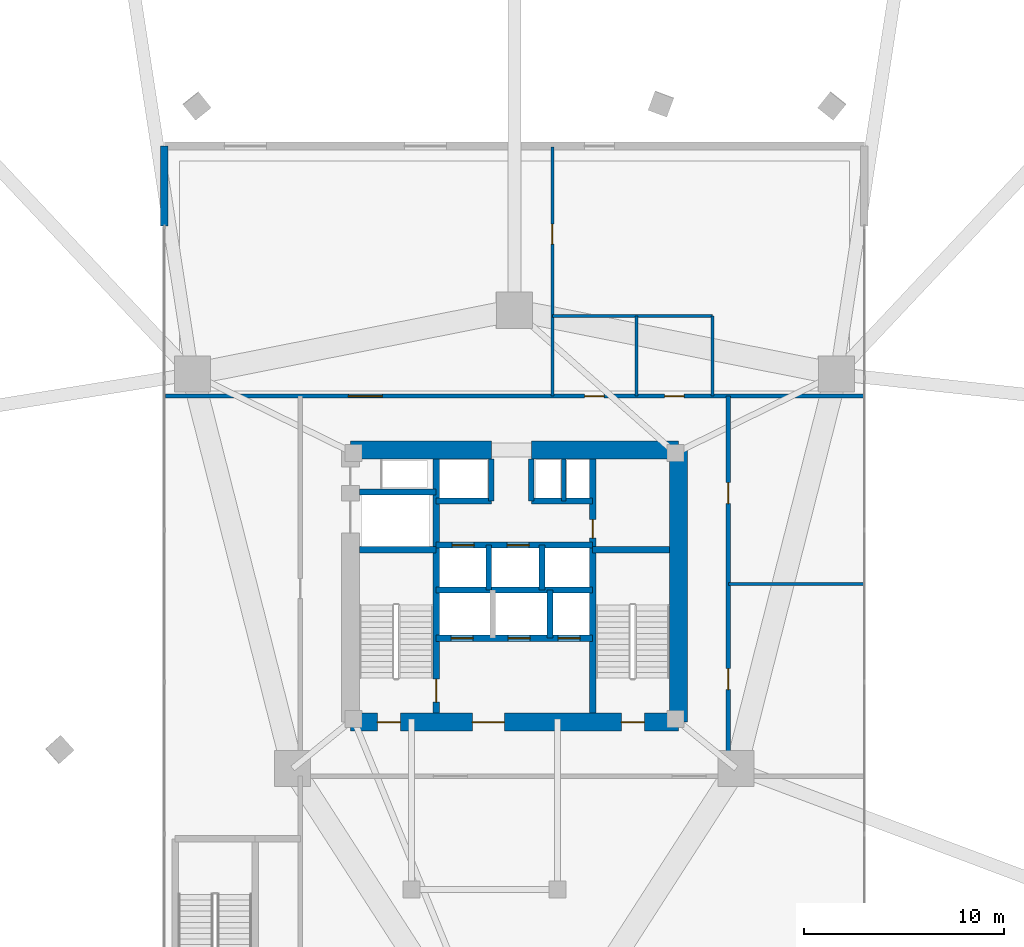
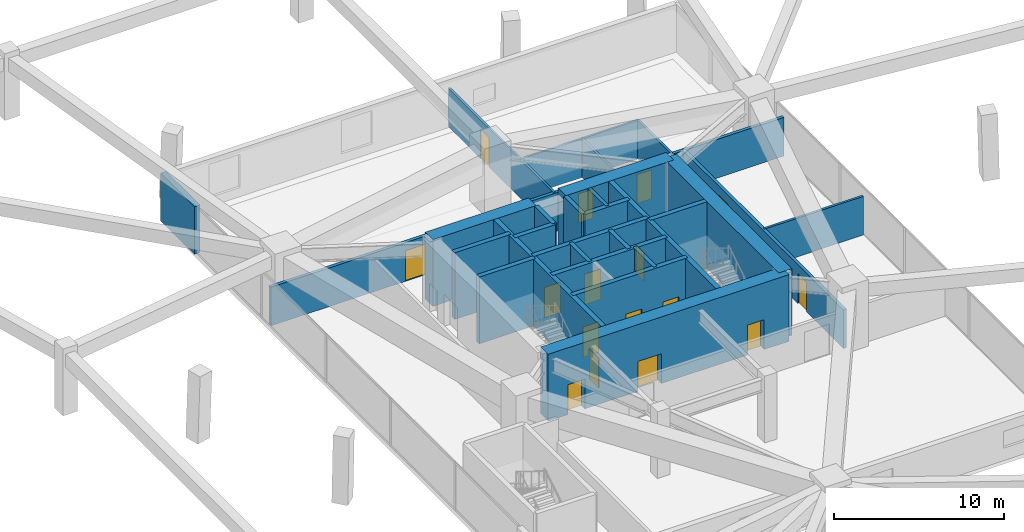
# One storey, part 12 of 15: 28 walls, 16 doors, 16 openings.
"""IFC4 building model written with IfcOpenShell, lengths in metres."""

from ifc_helpers import new_model, si_unit, direction, frame, frame_2d, origin, place, context, subcontext, project, spatial, rectangle, extrude, material, layer, layer_set, type_object, element, fill, save


model = new_model("IFC4")

# Units and contexts
model_context = context("Model", 3, precision=1e-05, world=origin(), true_north=direction((0.0, 1.0)))
body_context = subcontext(model_context, "Body", "Model", "MODEL_VIEW")
ifc_project = project(units=[si_unit("LENGTHUNIT", "METRE"), si_unit("AREAUNIT", "SQUARE_METRE"), si_unit("VOLUMEUNIT", "CUBIC_METRE"), si_unit("PLANEANGLEUNIT", "RADIAN"), si_unit("MASSUNIT", "GRAM", prefix="KILO")], contexts=[model_context])

# Site, building, storey
site_placement = place(None, origin())
site = spatial("IfcSite", under=ifc_project, at=site_placement, CompositionType="ELEMENT")
building_placement = place(site_placement, origin())
building = spatial("IfcBuilding", under=site, at=building_placement, Name="Talyreon Biosciences Tower", CompositionType="ELEMENT")
storey_placement = place(building_placement, frame((0.0, 0.0, 5.39990234375)))
storey = spatial("IfcBuildingStorey", under=building, at=storey_placement, Name="L01", CompositionType="ELEMENT", Elevation=5.39990234375)

# Walls
ifc_material_1 = material(Name="Concrete C50/60", Category="concrete")
ifc_layer_1 = layer(ifc_material_1, 0.219970703125)
ifc_layer_set_1 = layer_set([ifc_layer_1], Name="Concrete C50/60")
wall_type_1 = type_object("IfcWallType", Name="CoreShearWall_220", PredefinedType="SHEAR", material=ifc_layer_set_1)
wall_1_placement = place(storey_placement, frame((68.4599609375, 72.25, 0.0), z_axis=(0.0, 0.0, 1.0), x_axis=(0.0, 1.0, 0.0)))
element("IfcWall", 1, at=wall_1_placement, inside=storey, type_object=wall_type_1, Name="L01 Core Shaft Wall SWPHD", PredefinedType="SHEAR", context=body_context, shape_type="SweptSolid", body=[
    extrude(rectangle(XDim=2.10009765625, YDim=0.219970703125, at=frame_2d((1.050048828125, 0.0))), origin(), (0.0, 0.0, 1.0), 4.800048828125),
])
ifc_layer_2 = layer(ifc_material_1, 0.280029296875)
ifc_layer_set_2 = layer_set([ifc_layer_2], Name="Concrete C50/60")
wall_type_2 = type_object("IfcWallType", Name="CoreShearWall_280", PredefinedType="SHEAR", material=ifc_layer_set_2)
for number, where, z_axis, x_axis, name in (
    (2, (64.85009765625, 72.25, 0.0), (0.0, 0.0, 1.0), (0.0, 1.0, 0.0), "L01 Core Shaft Wall SWTHW"),
    (3, (66.85009765625, 72.25, 0.0), (0.0, 0.0, 1.0), (0.0, 1.0, 0.0), "L01 Core Shaft Wall SWTHE"),
):
    element("IfcWall", number, at=place(storey_placement, frame(where, z_axis=z_axis, x_axis=x_axis)), inside=storey, type_object=wall_type_2, Name=name, PredefinedType="SHEAR", context=body_context, shape_type="SweptSolid", body=[
        extrude(rectangle(XDim=2.10009765625, YDim=0.280029296875, at=frame_2d((1.050048828125, 0.0))), origin(), (0.0, 0.0, 1.0), 4.800048828125),
    ])
wall_2_placement = place(storey_placement, frame((67.780029296875, 65.39990234375, 0.0), z_axis=(0.0, 0.0, 1.0), x_axis=(0.0, 1.0, 0.0)))
element("IfcWall", 4, at=wall_2_placement, inside=storey, type_object=wall_type_2, Name="L01 Core Shaft Wall SWSHD2", PredefinedType="SHEAR", context=body_context, shape_type="SweptSolid", body=[
    extrude(rectangle(XDim=2.400146484375, YDim=0.280029296875, at=frame_2d((1.2001953125, 0.0))), origin(), (0.0, 0.0, 1.0), 4.800048828125),
])
for number, where, z_axis, x_axis, name in (
    (5, (64.719970703125, 67.800048828125, 0.0), (0.0, 0.0, 1.0), (0.0, 1.0, 0.0), "L01 Core Shaft Wall SWPLD"),
    (6, (67.3798828125, 67.800048828125, 0.0), (0.0, 0.0, 1.0), (0.0, 1.0, 0.0), "L01 Core Shaft Wall SWPMD"),
):
    element("IfcWall", number, at=place(storey_placement, frame(where, z_axis=z_axis, x_axis=x_axis)), inside=storey, type_object=wall_type_2, Name=name, PredefinedType="SHEAR", context=body_context, shape_type="SweptSolid", body=[
        extrude(rectangle(XDim=2.25, YDim=0.280029296875, at=frame_2d((1.125, 0.0))), origin(), (0.0, 0.0, 1.0), 4.800048828125),
    ])

# Wall, opening, door
ifc_layer_3 = layer(ifc_material_1, 0.320068359375)
ifc_layer_set_3 = layer_set([ifc_layer_3], Name="Concrete C50/60")
wall_type_3 = type_object("IfcWallType", Name="CoreShearWall_320", PredefinedType="SHEAR", material=ifc_layer_set_3)
wall_3_placement = place(storey_placement, frame((62.090087890625, 61.64990234375, 0.0), z_axis=(0.0, 0.0, 1.0), x_axis=(0.0, 1.0, 0.0)))
wall_3 = element("IfcWall", 7, at=wall_3_placement, inside=storey, type_object=wall_type_3, Name="L01 Core Shaft Wall SW1E", PredefinedType="SHEAR", context=body_context, shape_type="SweptSolid", body=[
    extrude(rectangle(XDim=12.7001953125, YDim=0.320068359375, at=frame_2d((6.35009765625, 0.0))), origin(), (0.0, 0.0, 1.0), 4.800048828125),
])
opening_1_placement = place(wall_3_placement, frame((0.550048828125, 0.0, 0.0)))
opening_1 = element("IfcOpeningElement", 8, at=opening_1_placement, cuts=wall_3, Name="Opening DR-L01-FF-ST1", PredefinedType="OPENING", context=body_context, shape_type="SweptSolid", body=[
    extrude(rectangle(XDim=1.14990234375, YDim=2.14990234375, at=frame_2d((0.574951171875, 1.074951171875))), frame((0.0, 0.169921875, 0.0), z_axis=(0.0, -1.0, 0.0), x_axis=(1.0, 0.0, 0.0)), (0.0, 0.0, 1.0), 0.340087890625),
])
ifc_material_2 = material(Name="Painted steel fire door", Category="steel")
door_type_1 = type_object("IfcDoorType", Name="StairShaftFireDoor_1150x2150", OperationType="NOTDEFINED", PredefinedType="DOOR", material=ifc_material_2)
door_1_placement = place(opening_1_placement, origin())
door_1 = element("IfcDoor", 9, at=door_1_placement, inside=storey, type_object=door_type_1, Name="L01 Core Door DR-L01-FF-ST1", OperationType="SINGLE_SWING_LEFT", OverallHeight=2.14990234375, OverallWidth=1.14990234375, PredefinedType="DOOR", context=body_context, shape_type="SweptSolid", body=[
    extrude(rectangle(XDim=1.14990234375, YDim=2.14990234375, at=frame_2d((0.574951171875, 1.074951171875))), frame((0.0, 0.02490234375, 0.0), z_axis=(0.0, -1.0, 0.0), x_axis=(1.0, 0.0, 0.0)), (0.0, 0.0, 1.0), 0.050048828125),
])
fill(opening_1, door_1)

wall_4_placement = place(storey_placement, frame((69.909912109375, 61.64990234375, 0.0), z_axis=(0.0, 0.0, 1.0), x_axis=(0.0, 1.0, 0.0)))
wall_4 = element("IfcWall", 10, at=wall_4_placement, inside=storey, type_object=wall_type_3, Name="L01 Core Shaft Wall SW2W", PredefinedType="SHEAR", context=body_context, shape_type="SweptSolid", body=[
    extrude(rectangle(XDim=12.7001953125, YDim=0.320068359375, at=frame_2d((6.35009765625, 0.0))), origin(), (0.0, 0.0, 1.0), 4.800048828125),
])
opening_2_placement = place(wall_4_placement, frame((8.75, 0.0, 0.0)))
opening_2 = element("IfcOpeningElement", 11, at=opening_2_placement, cuts=wall_4, Name="Opening DR-L01-CSRV", PredefinedType="OPENING", context=body_context, shape_type="SweptSolid", body=[
    extrude(rectangle(XDim=0.919921875, YDim=2.050048828125, at=frame_2d((0.4599609375, 1.02490234375))), frame((0.0, 0.169921875, 0.0), z_axis=(0.0, -1.0, 0.0), x_axis=(1.0, 0.0, 0.0)), (0.0, 0.0, 1.0), 0.340087890625),
])
ifc_material_3 = material(Name="Painted steel fire-rated riser door", Category="steel")
door_type_2 = type_object("IfcDoorType", Name="RiserPlantAccessDoor_920x2050", OperationType="NOTDEFINED", PredefinedType="DOOR", material=ifc_material_3)
door_2_placement = place(opening_2_placement, origin())
door_2 = element("IfcDoor", 12, at=door_2_placement, inside=storey, type_object=door_type_2, Name="L01 Core Door DR-L01-CSRV", OperationType="SINGLE_SWING_RIGHT", OverallHeight=2.050048828125, OverallWidth=0.919921875, PredefinedType="DOOR", context=body_context, shape_type="SweptSolid", body=[
    extrude(rectangle(XDim=0.919921875, YDim=2.050048828125, at=frame_2d((0.4599609375, 1.02490234375))), frame((0.0, 0.02490234375, 0.0), z_axis=(0.0, -1.0, 0.0), x_axis=(1.0, 0.0, 0.0)), (0.0, 0.0, 1.0), 0.050048828125),
])
fill(opening_2, door_2)

# Walls
for number, where, z_axis, x_axis, name in (
    (13, (58.25, 69.81005859375, 0.0), (0.0, 0.0, 1.0), (1.0, 0.0, 0.0), "L01 Core Shaft Wall SW1N"),
    (14, (69.909912109375, 69.81005859375, 0.0), (0.0, 0.0, 1.0), (1.0, 0.0, 0.0), "L01 Core Shaft Wall SW2N"),
    (15, (58.25, 72.699951171875, 0.0), (0.0, 0.0, 1.0), (1.0, 0.0, 0.0), "L01 Core Shaft Wall SWGLN"),
):
    element("IfcWall", number, at=place(storey_placement, frame(where, z_axis=z_axis, x_axis=x_axis)), inside=storey, type_object=wall_type_3, Name=name, PredefinedType="SHEAR", context=body_context, shape_type="SweptSolid", body=[
        extrude(rectangle(XDim=3.840087890625, YDim=0.320068359375, at=frame_2d((1.919921875, 0.0))), origin(), (0.0, 0.0, 1.0), 4.800048828125),
    ])
wall_5_placement = place(storey_placement, frame((62.090087890625, 67.800048828125, 0.0), z_axis=(0.0, 0.0, 1.0), x_axis=(1.0, 0.0, 0.0)))
element("IfcWall", 16, at=wall_5_placement, inside=storey, type_object=wall_type_3, Name="L01 Core Shaft Wall SWSHM", PredefinedType="SHEAR", context=body_context, shape_type="SweptSolid", body=[
    extrude(rectangle(XDim=7.81982421875, YDim=0.320068359375, at=frame_2d((3.909912109375, 0.0))), origin(), (0.0, 0.0, 1.0), 4.800048828125),
])

# Wall, openings, doors
wall_6_placement = place(storey_placement, frame((62.090087890625, 70.050048828125, 0.0), z_axis=(0.0, 0.0, 1.0), x_axis=(1.0, 0.0, 0.0)))
wall_6 = element("IfcWall", 17, at=wall_6_placement, inside=storey, type_object=wall_type_3, Name="L01 Core Shaft Wall SWSPN", PredefinedType="SHEAR", context=body_context, shape_type="SweptSolid", body=[
    extrude(rectangle(XDim=7.81982421875, YDim=0.320068359375, at=frame_2d((3.909912109375, 0.0))), origin(), (0.0, 0.0, 1.0), 4.800048828125),
])
opening_3_placement = place(wall_6_placement, frame((0.800048828125, 0.0, 0.0)))
opening_3 = element("IfcOpeningElement", 18, at=opening_3_placement, cuts=wall_6, Name="Opening LD-L01-PL1", PredefinedType="OPENING", context=body_context, shape_type="SweptSolid", body=[
    extrude(rectangle(XDim=1.10009765625, YDim=2.199951171875, at=frame_2d((0.550048828125, 1.10009765625))), frame((0.0, 0.169921875, 0.0), z_axis=(0.0, -1.0, 0.0), x_axis=(1.0, 0.0, 0.0)), (0.0, 0.0, 1.0), 0.340087890625),
])
opening_4_placement = place(wall_6_placement, frame((3.550048828125, 0.0, 0.0)))
opening_4 = element("IfcOpeningElement", 19, at=opening_4_placement, cuts=wall_6, Name="Opening LD-L01-PL2", PredefinedType="OPENING", context=body_context, shape_type="SweptSolid", body=[
    extrude(rectangle(XDim=1.10009765625, YDim=2.199951171875, at=frame_2d((0.550048828125, 1.10009765625))), frame((0.0, 0.169921875, 0.0), z_axis=(0.0, -1.0, 0.0), x_axis=(1.0, 0.0, 0.0)), (0.0, 0.0, 1.0), 0.340087890625),
])
ifc_material_4 = material(Name="Brushed stainless-steel lift landing door", Category="steel")
door_type_3 = type_object("IfcDoorType", Name="LiftSlidingLandingDoor_1100x2200", OperationType="SLIDING_TO_LEFT", PredefinedType="DOOR", material=ifc_material_4)
door_3_placement = place(opening_3_placement, origin())
door_3 = element("IfcDoor", 20, at=door_3_placement, inside=storey, type_object=door_type_3, Name="L01 Core Door LD-L01-PL1", OperationType="SLIDING_TO_LEFT", OverallHeight=2.199951171875, OverallWidth=1.10009765625, PredefinedType="DOOR", context=body_context, shape_type="SweptSolid", body=[
    extrude(rectangle(XDim=1.10009765625, YDim=2.199951171875, at=frame_2d((0.550048828125, 1.10009765625))), frame((0.0, 0.02490234375, 0.0), z_axis=(0.0, -1.0, 0.0), x_axis=(1.0, 0.0, 0.0)), (0.0, 0.0, 1.0), 0.050048828125),
])
fill(opening_3, door_3)
door_4_placement = place(opening_4_placement, origin())
door_4 = element("IfcDoor", 21, at=door_4_placement, inside=storey, type_object=door_type_3, Name="L01 Core Door LD-L01-PL2", OperationType="SLIDING_TO_LEFT", OverallHeight=2.199951171875, OverallWidth=1.10009765625, PredefinedType="DOOR", context=body_context, shape_type="SweptSolid", body=[
    extrude(rectangle(XDim=1.10009765625, YDim=2.199951171875, at=frame_2d((0.550048828125, 1.10009765625))), frame((0.0, 0.02490234375, 0.0), z_axis=(0.0, -1.0, 0.0), x_axis=(1.0, 0.0, 0.0)), (0.0, 0.0, 1.0), 0.050048828125),
])
fill(opening_4, door_4)

# Walls
wall_7_placement = place(storey_placement, frame((62.090087890625, 72.25, 0.0), z_axis=(0.0, 0.0, 1.0), x_axis=(1.0, 0.0, 0.0)))
element("IfcWall", 22, at=wall_7_placement, inside=storey, type_object=wall_type_3, Name="L01 Core Shaft Wall SWNPW", PredefinedType="SHEAR", context=body_context, shape_type="SweptSolid", body=[
    extrude(rectangle(XDim=2.760009765625, YDim=0.320068359375, at=frame_2d((1.3798828125, 0.0))), origin(), (0.0, 0.0, 1.0), 4.800048828125),
])
wall_8_placement = place(storey_placement, frame((66.85009765625, 72.25, 0.0), z_axis=(0.0, 0.0, 1.0), x_axis=(1.0, 0.0, 0.0)))
element("IfcWall", 23, at=wall_8_placement, inside=storey, type_object=wall_type_3, Name="L01 Core Shaft Wall SWNPE", PredefinedType="SHEAR", context=body_context, shape_type="SweptSolid", body=[
    extrude(rectangle(XDim=3.059814453125, YDim=0.320068359375, at=frame_2d((1.52978515625, 0.0))), origin(), (0.0, 0.0, 1.0), 4.800048828125),
])

# Wall, openings, doors
wall_9_placement = place(storey_placement, frame((62.090087890625, 65.39990234375, 0.0), z_axis=(0.0, 0.0, 1.0), x_axis=(1.0, 0.0, 0.0)))
wall_9 = element("IfcWall", 24, at=wall_9_placement, inside=storey, type_object=wall_type_3, Name="L01 Core Shaft Wall SWFFN", PredefinedType="SHEAR", context=body_context, shape_type="SweptSolid", body=[
    extrude(rectangle(XDim=7.81982421875, YDim=0.320068359375, at=frame_2d((3.909912109375, 0.0))), origin(), (0.0, 0.0, 1.0), 4.800048828125),
])
opening_5_placement = place(wall_9_placement, frame((6.10009765625, 0.0, 0.0)))
opening_5 = element("IfcOpeningElement", 25, at=opening_5_placement, cuts=wall_9, Name="Opening LD-L01-PK1", PredefinedType="OPENING", context=body_context, shape_type="SweptSolid", body=[
    extrude(rectangle(XDim=1.10009765625, YDim=2.199951171875, at=frame_2d((0.550048828125, 1.10009765625))), frame((0.0, 0.169921875, 0.0), z_axis=(0.0, -1.0, 0.0), x_axis=(1.0, 0.0, 0.0)), (0.0, 0.0, 1.0), 0.340087890625),
])
opening_6_placement = place(wall_9_placement, frame((0.75, 0.0, 0.0)))
opening_6 = element("IfcOpeningElement", 26, at=opening_6_placement, cuts=wall_9, Name="Opening LD-L01-FL1", PredefinedType="OPENING", context=body_context, shape_type="SweptSolid", body=[
    extrude(rectangle(XDim=1.10009765625, YDim=2.199951171875, at=frame_2d((0.550048828125, 1.10009765625))), frame((0.0, 0.169921875, 0.0), z_axis=(0.0, -1.0, 0.0), x_axis=(1.0, 0.0, 0.0)), (0.0, 0.0, 1.0), 0.340087890625),
])
opening_7_placement = place(wall_9_placement, frame((3.60009765625, 0.0, 0.0)))
opening_7 = element("IfcOpeningElement", 27, at=opening_7_placement, cuts=wall_9, Name="Opening LD-L01-FL2", PredefinedType="OPENING", context=body_context, shape_type="SweptSolid", body=[
    extrude(rectangle(XDim=1.10009765625, YDim=2.199951171875, at=frame_2d((0.550048828125, 1.10009765625))), frame((0.0, 0.169921875, 0.0), z_axis=(0.0, -1.0, 0.0), x_axis=(1.0, 0.0, 0.0)), (0.0, 0.0, 1.0), 0.340087890625),
])
door_5_placement = place(opening_5_placement, origin())
door_5 = element("IfcDoor", 28, at=door_5_placement, inside=storey, type_object=door_type_3, Name="L01 Core Door LD-L01-PK1", OperationType="SLIDING_TO_LEFT", OverallHeight=2.199951171875, OverallWidth=1.10009765625, PredefinedType="DOOR", context=body_context, shape_type="SweptSolid", body=[
    extrude(rectangle(XDim=1.10009765625, YDim=2.199951171875, at=frame_2d((0.550048828125, 1.10009765625))), frame((0.0, 0.02490234375, 0.0), z_axis=(0.0, -1.0, 0.0), x_axis=(1.0, 0.0, 0.0)), (0.0, 0.0, 1.0), 0.050048828125),
])
fill(opening_5, door_5)
door_6_placement = place(opening_6_placement, origin())
door_6 = element("IfcDoor", 29, at=door_6_placement, inside=storey, type_object=door_type_3, Name="L01 Core Door LD-L01-FL1", OperationType="SLIDING_TO_LEFT", OverallHeight=2.199951171875, OverallWidth=1.10009765625, PredefinedType="DOOR", context=body_context, shape_type="SweptSolid", body=[
    extrude(rectangle(XDim=1.10009765625, YDim=2.199951171875, at=frame_2d((0.550048828125, 1.10009765625))), frame((0.0, 0.02490234375, 0.0), z_axis=(0.0, -1.0, 0.0), x_axis=(1.0, 0.0, 0.0)), (0.0, 0.0, 1.0), 0.050048828125),
])
fill(opening_6, door_6)
door_7_placement = place(opening_7_placement, origin())
door_7 = element("IfcDoor", 30, at=door_7_placement, inside=storey, type_object=door_type_3, Name="L01 Core Door LD-L01-FL2", OperationType="SLIDING_TO_LEFT", OverallHeight=2.199951171875, OverallWidth=1.10009765625, PredefinedType="DOOR", context=body_context, shape_type="SweptSolid", body=[
    extrude(rectangle(XDim=1.10009765625, YDim=2.199951171875, at=frame_2d((0.550048828125, 1.10009765625))), frame((0.0, 0.02490234375, 0.0), z_axis=(0.0, -1.0, 0.0), x_axis=(1.0, 0.0, 0.0)), (0.0, 0.0, 1.0), 0.050048828125),
])
fill(opening_7, door_7)

ifc_material_5 = material(Name="Concrete C60/75", Category="concrete")
ifc_layer_4 = layer(ifc_material_5, 0.89990234375)
ifc_layer_set_4 = layer_set([ifc_layer_4], Name="Concrete C60/75")
wall_type_4 = type_object("IfcWallType", Name="CoreShearWall_900", PredefinedType="SHEAR", material=ifc_layer_set_4)
wall_10_placement = place(storey_placement, frame((57.800048828125, 61.199951171875, 0.0), z_axis=(0.0, 0.0, 1.0), x_axis=(1.0, 0.0, 0.0)))
wall_10 = element("IfcWall", 31, at=wall_10_placement, inside=storey, type_object=wall_type_4, Name="L01 Core Shear Wall S", PredefinedType="SHEAR", context=body_context, shape_type="SweptSolid", body=[
    extrude(rectangle(XDim=16.39990234375, YDim=0.89990234375, at=frame_2d((8.199951171875, 0.0))), origin(), (0.0, 0.0, 1.0), 4.800048828125),
])
opening_8_placement = place(wall_10_placement, frame((1.35009765625, 0.0, 0.0)))
opening_8 = element("IfcOpeningElement", 32, at=opening_8_placement, cuts=wall_10, Name="Opening DR-L01-ST1", PredefinedType="OPENING", context=body_context, shape_type="SweptSolid", body=[
    extrude(rectangle(XDim=1.14990234375, YDim=2.14990234375, at=frame_2d((0.574951171875, 1.074951171875))), frame((0.0, 0.4599609375, 0.0), z_axis=(0.0, -1.0, 0.0), x_axis=(1.0, 0.0, 0.0)), (0.0, 0.0, 1.0), 0.919921875),
])
opening_9_placement = place(wall_10_placement, frame((6.10009765625, 0.0, 0.0)))
opening_9 = element("IfcOpeningElement", 33, at=opening_9_placement, cuts=wall_10, Name="Opening DR-L01-FFL", PredefinedType="OPENING", context=body_context, shape_type="SweptSolid", body=[
    extrude(rectangle(XDim=1.60009765625, YDim=2.14990234375, at=frame_2d((0.800048828125, 1.074951171875))), frame((0.0, 0.4599609375, 0.0), z_axis=(0.0, -1.0, 0.0), x_axis=(1.0, 0.0, 0.0)), (0.0, 0.0, 1.0), 0.919921875),
])
opening_10_placement = place(wall_10_placement, frame((13.550048828125, 0.0, 0.0)))
opening_10 = element("IfcOpeningElement", 34, at=opening_10_placement, cuts=wall_10, Name="Opening DR-L01-ST2", PredefinedType="OPENING", context=body_context, shape_type="SweptSolid", body=[
    extrude(rectangle(XDim=1.14990234375, YDim=2.14990234375, at=frame_2d((0.574951171875, 1.074951171875))), frame((0.0, 0.4599609375, 0.0), z_axis=(0.0, -1.0, 0.0), x_axis=(1.0, 0.0, 0.0)), (0.0, 0.0, 1.0), 0.919921875),
])
ifc_material_6 = material(Name="Painted steel smoke-seal fire door", Category="steel")
door_type_4 = type_object("IfcDoorType", Name="FirefightingLobbyDoubleDoor_1600x2150", OperationType="DOUBLE_DOOR_SINGLE_SWING", PredefinedType="DOOR", material=ifc_material_6)
door_8_placement = place(opening_9_placement, origin())
door_8 = element("IfcDoor", 35, at=door_8_placement, inside=storey, type_object=door_type_4, Name="L01 Core Door DR-L01-FFL", OperationType="DOUBLE_DOOR_SINGLE_SWING", OverallHeight=2.14990234375, OverallWidth=1.60009765625, PredefinedType="DOOR", context=body_context, shape_type="SweptSolid", body=[
    extrude(rectangle(XDim=1.60009765625, YDim=2.14990234375, at=frame_2d((0.800048828125, 1.074951171875))), frame((0.0, 0.02490234375, 0.0), z_axis=(0.0, -1.0, 0.0), x_axis=(1.0, 0.0, 0.0)), (0.0, 0.0, 1.0), 0.050048828125),
])
fill(opening_9, door_8)
door_9_placement = place(opening_8_placement, origin())
door_9 = element("IfcDoor", 36, at=door_9_placement, inside=storey, type_object=door_type_1, Name="L01 Core Door DR-L01-ST1", OperationType="SINGLE_SWING_LEFT", OverallHeight=2.14990234375, OverallWidth=1.14990234375, PredefinedType="DOOR", context=body_context, shape_type="SweptSolid", body=[
    extrude(rectangle(XDim=1.14990234375, YDim=2.14990234375, at=frame_2d((0.574951171875, 1.074951171875))), frame((0.0, 0.02490234375, 0.0), z_axis=(0.0, -1.0, 0.0), x_axis=(1.0, 0.0, 0.0)), (0.0, 0.0, 1.0), 0.050048828125),
])
fill(opening_8, door_9)
door_10_placement = place(opening_10_placement, origin())
door_10 = element("IfcDoor", 37, at=door_10_placement, inside=storey, type_object=door_type_1, Name="L01 Core Door DR-L01-ST2", OperationType="SINGLE_SWING_RIGHT", OverallHeight=2.14990234375, OverallWidth=1.14990234375, PredefinedType="DOOR", context=body_context, shape_type="SweptSolid", body=[
    extrude(rectangle(XDim=1.14990234375, YDim=2.14990234375, at=frame_2d((0.574951171875, 1.074951171875))), frame((0.0, 0.02490234375, 0.0), z_axis=(0.0, -1.0, 0.0), x_axis=(1.0, 0.0, 0.0)), (0.0, 0.0, 1.0), 0.050048828125),
])
fill(opening_10, door_10)

# Walls
wall_11_placement = place(storey_placement, frame((74.199951171875, 61.199951171875, 0.0), z_axis=(0.0, 0.0, 1.0), x_axis=(0.0, 1.0, 0.0)))
element("IfcWall", 38, at=wall_11_placement, inside=storey, type_object=wall_type_4, Name="L01 Core Shear Wall E", PredefinedType="SHEAR", context=body_context, shape_type="SweptSolid", body=[
    extrude(rectangle(XDim=13.60009765625, YDim=0.89990234375, at=frame_2d((6.800048828125, 0.0))), origin(), (0.0, 0.0, 1.0), 4.800048828125),
])
wall_12_placement = place(storey_placement, frame((74.199951171875, 74.800048828125, 0.0), z_axis=(0.0, 0.0, 1.0), x_axis=(-1.0, 0.0, 0.0)))
element("IfcWall", 39, at=wall_12_placement, inside=storey, type_object=wall_type_4, Name="L01 Core Shear Wall NE", PredefinedType="SHEAR", context=body_context, shape_type="SweptSolid", body=[
    extrude(rectangle(XDim=7.349853515625, YDim=0.89990234375, at=frame_2d((3.6748046875, 0.0))), origin(), (0.0, 0.0, 1.0), 4.800048828125),
])
wall_13_placement = place(storey_placement, frame((64.85009765625, 74.800048828125, 0.0), z_axis=(0.0, 0.0, 1.0), x_axis=(-1.0, 0.0, 0.0)))
element("IfcWall", 40, at=wall_13_placement, inside=storey, type_object=wall_type_4, Name="L01 Core Shear Wall NW", PredefinedType="SHEAR", context=body_context, shape_type="SweptSolid", body=[
    extrude(rectangle(XDim=7.050048828125, YDim=0.89990234375, at=frame_2d((3.52490234375, 0.0))), origin(), (0.0, 0.0, 1.0), 4.800048828125),
])

# Wall, openings, doors
ifc_material_7 = material(Name="Gypsum fireboard acoustic stud", Category="gypsum")
ifc_layer_5 = layer(ifc_material_7, 0.219970703125)
ifc_layer_set_5 = layer_set([ifc_layer_5], Name="Gypsum fireboard acoustic stud")
wall_type_5 = type_object("IfcWallType", Name="CorridorRatedPartition_220", PredefinedType="PARTITIONING", material=ifc_layer_set_5)
wall_14_placement = place(storey_placement, frame((76.699951171875, 58.5, 0.0), z_axis=(0.0, 0.0, 1.0), x_axis=(0.0, 1.0, 0.0)))
wall_14 = element("IfcWall", 41, at=wall_14_placement, inside=storey, type_object=wall_type_5, Name="L01 Interior Wall IW-L01-E", PredefinedType="PARTITIONING", context=body_context, shape_type="SweptSolid", body=[
    extrude(rectangle(XDim=19.0, YDim=0.219970703125, at=frame_2d((9.5, 0.0))), origin(), (0.0, 0.0, 1.0), 2.780029296875),
])
opening_11_placement = place(wall_14_placement, frame((4.324951171875, 0.0, 0.0)))
opening_11 = element("IfcOpeningElement", 42, at=opening_11_placement, cuts=wall_14, Name="Opening DR-L01-SEM1", PredefinedType="OPENING", context=body_context, shape_type="SweptSolid", body=[
    extrude(rectangle(XDim=1.050048828125, YDim=2.14990234375, at=frame_2d((0.52490234375, 1.074951171875))), frame((0.0, 0.119873046875, 0.0), z_axis=(0.0, -1.0, 0.0), x_axis=(1.0, 0.0, 0.0)), (0.0, 0.0, 1.0), 0.239990234375),
])
opening_12_placement = place(wall_14_placement, frame((13.625, 0.0, 0.0)))
opening_12 = element("IfcOpeningElement", 43, at=opening_12_placement, cuts=wall_14, Name="Opening DR-L01-SEM2", PredefinedType="OPENING", context=body_context, shape_type="SweptSolid", body=[
    extrude(rectangle(XDim=1.050048828125, YDim=2.14990234375, at=frame_2d((0.52490234375, 1.074951171875))), frame((0.0, 0.119873046875, 0.0), z_axis=(0.0, -1.0, 0.0), x_axis=(1.0, 0.0, 0.0)), (0.0, 0.0, 1.0), 0.239990234375),
])
ifc_material_8 = material(Name="Acoustic timber-core laboratory door", Category="wood")
door_type_5 = type_object("IfcDoorType", Name="DryLabSingleDoor_1050x2150", OperationType="NOTDEFINED", PredefinedType="DOOR", material=ifc_material_8)
door_11_placement = place(opening_11_placement, origin())
door_11 = element("IfcDoor", 44, at=door_11_placement, inside=storey, type_object=door_type_5, Name="L01 Interior Door DR-L01-SEM1", OperationType="SINGLE_SWING_RIGHT", OverallHeight=2.14990234375, OverallWidth=1.050048828125, PredefinedType="DOOR", context=body_context, shape_type="SweptSolid", body=[
    extrude(rectangle(XDim=1.050048828125, YDim=2.14990234375, at=frame_2d((0.52490234375, 1.074951171875))), frame((0.0, 0.02490234375, 0.0), z_axis=(0.0, -1.0, 0.0), x_axis=(1.0, 0.0, 0.0)), (0.0, 0.0, 1.0), 0.050048828125),
])
fill(opening_11, door_11)
door_12_placement = place(opening_12_placement, origin())
door_12 = element("IfcDoor", 45, at=door_12_placement, inside=storey, type_object=door_type_5, Name="L01 Interior Door DR-L01-SEM2", OperationType="SINGLE_SWING_LEFT", OverallHeight=2.14990234375, OverallWidth=1.050048828125, PredefinedType="DOOR", context=body_context, shape_type="SweptSolid", body=[
    extrude(rectangle(XDim=1.050048828125, YDim=2.14990234375, at=frame_2d((0.52490234375, 1.074951171875))), frame((0.0, 0.02490234375, 0.0), z_axis=(0.0, -1.0, 0.0), x_axis=(1.0, 0.0, 0.0)), (0.0, 0.0, 1.0), 0.050048828125),
])
fill(opening_12, door_12)

wall_15_placement = place(storey_placement, frame((48.550048828125, 77.5, 0.0), z_axis=(0.0, 0.0, 1.0), x_axis=(1.0, 0.0, 0.0)))
wall_15 = element("IfcWall", 46, at=wall_15_placement, inside=storey, type_object=wall_type_5, Name="L01 Interior Wall IW-L01-N", PredefinedType="PARTITIONING", context=body_context, shape_type="SweptSolid", body=[
    extrude(rectangle(XDim=34.89990234375, YDim=0.219970703125, at=frame_2d((17.449951171875, 0.0))), origin(), (0.0, 0.0, 1.0), 2.780029296875),
])
opening_13_placement = place(wall_15_placement, frame((9.14990234375, 0.0, 0.0)))
opening_13 = element("IfcOpeningElement", 47, at=opening_13_placement, cuts=wall_15, Name="Opening DR-L01-READ", PredefinedType="OPENING", context=body_context, shape_type="SweptSolid", body=[
    extrude(rectangle(XDim=1.699951171875, YDim=2.199951171875, at=frame_2d((0.85009765625, 1.10009765625))), frame((0.0, 0.119873046875, 0.0), z_axis=(0.0, -1.0, 0.0), x_axis=(1.0, 0.0, 0.0)), (0.0, 0.0, 1.0), 0.239990234375),
])
opening_14_placement = place(wall_15_placement, frame((20.9599609375, 0.0, 0.0)))
opening_14 = element("IfcOpeningElement", 48, at=opening_14_placement, cuts=wall_15, Name="Opening DR-L01-WC", PredefinedType="OPENING", context=body_context, shape_type="SweptSolid", body=[
    extrude(rectangle(XDim=0.97998046875, YDim=2.10009765625, at=frame_2d((0.489990234375, 1.050048828125))), frame((0.0, 0.119873046875, 0.0), z_axis=(0.0, -1.0, 0.0), x_axis=(1.0, 0.0, 0.0)), (0.0, 0.0, 1.0), 0.239990234375),
])
opening_15_placement = place(wall_15_placement, frame((24.9599609375, 0.0, 0.0)))
opening_15 = element("IfcOpeningElement", 49, at=opening_15_placement, cuts=wall_15, Name="Opening DR-L01-AWC", PredefinedType="OPENING", context=body_context, shape_type="SweptSolid", body=[
    extrude(rectangle(XDim=0.97998046875, YDim=2.10009765625, at=frame_2d((0.489990234375, 1.050048828125))), frame((0.0, 0.119873046875, 0.0), z_axis=(0.0, -1.0, 0.0), x_axis=(1.0, 0.0, 0.0)), (0.0, 0.0, 1.0), 0.239990234375),
])
ifc_material_9 = material(Name="Laminate moisture-resistant door", Category="wood")
door_type_6 = type_object("IfcDoorType", Name="AccessibleToiletDoor_980x2100", OperationType="NOTDEFINED", PredefinedType="DOOR", material=ifc_material_9)
door_13_placement = place(opening_14_placement, origin())
door_13 = element("IfcDoor", 50, at=door_13_placement, inside=storey, type_object=door_type_6, Name="L01 Interior Door DR-L01-WC", OperationType="SINGLE_SWING_RIGHT", OverallHeight=2.10009765625, OverallWidth=0.97998046875, PredefinedType="DOOR", context=body_context, shape_type="SweptSolid", body=[
    extrude(rectangle(XDim=0.97998046875, YDim=2.10009765625, at=frame_2d((0.489990234375, 1.050048828125))), frame((0.0, 0.02490234375, 0.0), z_axis=(0.0, -1.0, 0.0), x_axis=(1.0, 0.0, 0.0)), (0.0, 0.0, 1.0), 0.050048828125),
])
fill(opening_14, door_13)
door_14_placement = place(opening_15_placement, origin())
door_14 = element("IfcDoor", 51, at=door_14_placement, inside=storey, type_object=door_type_6, Name="L01 Interior Door DR-L01-AWC", OperationType="SINGLE_SWING_RIGHT", OverallHeight=2.10009765625, OverallWidth=0.97998046875, PredefinedType="DOOR", context=body_context, shape_type="SweptSolid", body=[
    extrude(rectangle(XDim=0.97998046875, YDim=2.10009765625, at=frame_2d((0.489990234375, 1.050048828125))), frame((0.0, 0.02490234375, 0.0), z_axis=(0.0, -1.0, 0.0), x_axis=(1.0, 0.0, 0.0)), (0.0, 0.0, 1.0), 0.050048828125),
])
fill(opening_15, door_14)
ifc_material_10 = material(Name="Acoustic oak seminar double door", Category="wood")
door_type_7 = type_object("IfcDoorType", Name="MeetingSeminarDoubleDoor_1700x2200", OperationType="DOUBLE_DOOR_SINGLE_SWING", PredefinedType="DOOR", material=ifc_material_10)
door_15_placement = place(opening_13_placement, origin())
door_15 = element("IfcDoor", 52, at=door_15_placement, inside=storey, type_object=door_type_7, Name="L01 Interior Door DR-L01-READ", OperationType="DOUBLE_DOOR_SINGLE_SWING", OverallHeight=2.199951171875, OverallWidth=1.699951171875, PredefinedType="DOOR", context=body_context, shape_type="SweptSolid", body=[
    extrude(rectangle(XDim=1.699951171875, YDim=2.199951171875, at=frame_2d((0.85009765625, 1.10009765625))), frame((0.0, 0.02490234375, 0.0), z_axis=(0.0, -1.0, 0.0), x_axis=(1.0, 0.0, 0.0)), (0.0, 0.0, 1.0), 0.050048828125),
])
fill(opening_13, door_15)

# Walls
ifc_material_11 = material(Name="Gypsum acoustic stud partition", Category="gypsum")
ifc_layer_6 = layer(ifc_material_11, 0.159912109375)
ifc_layer_set_6 = layer_set([ifc_layer_6], Name="Gypsum acoustic stud partition")
wall_type_6 = type_object("IfcWallType", Name="LabSeparationPartition_160", PredefinedType="PARTITIONING", material=ifc_layer_set_6)
wall_16_placement = place(storey_placement, frame((76.699951171875, 68.10009765625, 0.0), z_axis=(0.0, 0.0, 1.0), x_axis=(1.0, 0.0, 0.0)))
element("IfcWall", 53, at=wall_16_placement, inside=storey, type_object=wall_type_6, Name="L01 Interior Wall IW-L01-EMID", PredefinedType="PARTITIONING", context=body_context, shape_type="SweptSolid", body=[
    extrude(rectangle(XDim=6.75, YDim=0.159912109375, at=frame_2d((3.375, 0.0))), origin(), (0.0, 0.0, 1.0), 2.780029296875),
])
ifc_material_12 = material(Name="Precast concrete C45/55", Category="concrete")
ifc_layer_7 = layer(ifc_material_12, 0.3798828125)
ifc_layer_set_7 = layer_set([ifc_layer_7], Name="Precast concrete C45/55")
wall_type_7 = type_object("IfcWallType", Name="PrecastConcretePodiumWall_380", PredefinedType="STANDARD", material=ifc_layer_set_7)
wall_17_placement = place(storey_placement, frame((48.5, 86.0, 0.0), z_axis=(0.0, 0.0, 1.0), x_axis=(0.0, 1.0, 0.0)))
element("IfcWall", 54, at=wall_17_placement, inside=storey, type_object=wall_type_7, Name="L01 Corner Pier WB", PredefinedType="STANDARD", context=body_context, shape_type="SweptSolid", body=[
    extrude(rectangle(XDim=4.0, YDim=0.3798828125, at=frame_2d((2.0, 0.0))), origin(), (0.0, 0.0, 1.0), 3.43017578125),
])

# Wall, opening, door
ifc_material_13 = material(Name="Moisture-resistant cement-board stud", Category="gypsum")
ifc_layer_8 = layer(ifc_material_13, 0.14501953125)
ifc_layer_set_8 = layer_set([ifc_layer_8], Name="Moisture-resistant cement-board stud")
wall_type_8 = type_object("IfcWallType", Name="WetRoomPartition_145", PredefinedType="PARTITIONING", material=ifc_layer_set_8)
wall_18_placement = place(storey_placement, frame((67.89990234375, 77.5, 0.0), z_axis=(0.0, 0.0, 1.0), x_axis=(0.0, 1.0, 0.0)))
wall_18 = element("IfcWall", 55, at=wall_18_placement, inside=storey, type_object=wall_type_8, Name="L01 Interior Wall IW-L01-ND1", PredefinedType="PARTITIONING", context=body_context, shape_type="SweptSolid", body=[
    extrude(rectangle(XDim=12.449951171875, YDim=0.14501953125, at=frame_2d((6.22509765625, 0.0))), origin(), (0.0, 0.0, 1.0), 2.780029296875),
])
opening_16_placement = place(wall_18_placement, frame((7.60009765625, 0.0, 0.0)))
opening_16 = element("IfcOpeningElement", 56, at=opening_16_placement, cuts=wall_18, Name="Opening DR-L01-LNG", PredefinedType="OPENING", context=body_context, shape_type="SweptSolid", body=[
    extrude(rectangle(XDim=1.0, YDim=2.10009765625, at=frame_2d((0.5, 1.050048828125))), frame((0.0, 0.08251953125, 0.0), z_axis=(0.0, -1.0, 0.0), x_axis=(1.0, 0.0, 0.0)), (0.0, 0.0, 1.0), 0.1650390625),
])
ifc_material_14 = material(Name="Acoustic oak veneer office door", Category="wood")
door_type_8 = type_object("IfcDoorType", Name="WriteupOfficeDoor_1000x2100", OperationType="NOTDEFINED", PredefinedType="DOOR", material=ifc_material_14)
door_16_placement = place(opening_16_placement, origin())
door_16 = element("IfcDoor", 57, at=door_16_placement, inside=storey, type_object=door_type_8, Name="L01 Interior Door DR-L01-LNG", OperationType="SINGLE_SWING_RIGHT", OverallHeight=2.10009765625, OverallWidth=1.0, PredefinedType="DOOR", context=body_context, shape_type="SweptSolid", body=[
    extrude(rectangle(XDim=1.0, YDim=2.10009765625, at=frame_2d((0.5, 1.050048828125))), frame((0.0, 0.02490234375, 0.0), z_axis=(0.0, -1.0, 0.0), x_axis=(1.0, 0.0, 0.0)), (0.0, 0.0, 1.0), 0.050048828125),
])
fill(opening_16, door_16)

# Walls
for number, where, z_axis, x_axis, name in (
    (58, (72.10009765625, 77.5, 0.0), (0.0, 0.0, 1.0), (0.0, 1.0, 0.0), "L01 Interior Wall IW-L01-ND2"),
    (59, (75.89990234375, 77.5, 0.0), (0.0, 0.0, 1.0), (0.0, 1.0, 0.0), "L01 Interior Wall IW-L01-ND3"),
):
    element("IfcWall", number, at=place(storey_placement, frame(where, z_axis=z_axis, x_axis=x_axis)), inside=storey, type_object=wall_type_8, Name=name, PredefinedType="PARTITIONING", context=body_context, shape_type="SweptSolid", body=[
        extrude(rectangle(XDim=4.0, YDim=0.14501953125, at=frame_2d((2.0, 0.0))), origin(), (0.0, 0.0, 1.0), 2.780029296875),
    ])
wall_19_placement = place(storey_placement, frame((67.89990234375, 81.5, 0.0), z_axis=(0.0, 0.0, 1.0), x_axis=(1.0, 0.0, 0.0)))
element("IfcWall", 60, at=wall_19_placement, inside=storey, type_object=wall_type_8, Name="L01 Interior Wall IW-L01-WCH", PredefinedType="PARTITIONING", context=body_context, shape_type="SweptSolid", body=[
    extrude(rectangle(XDim=8.0, YDim=0.14501953125, at=frame_2d((4.0, 0.0))), origin(), (0.0, 0.0, 1.0), 2.780029296875),
])

save(model, "model.ifc")
